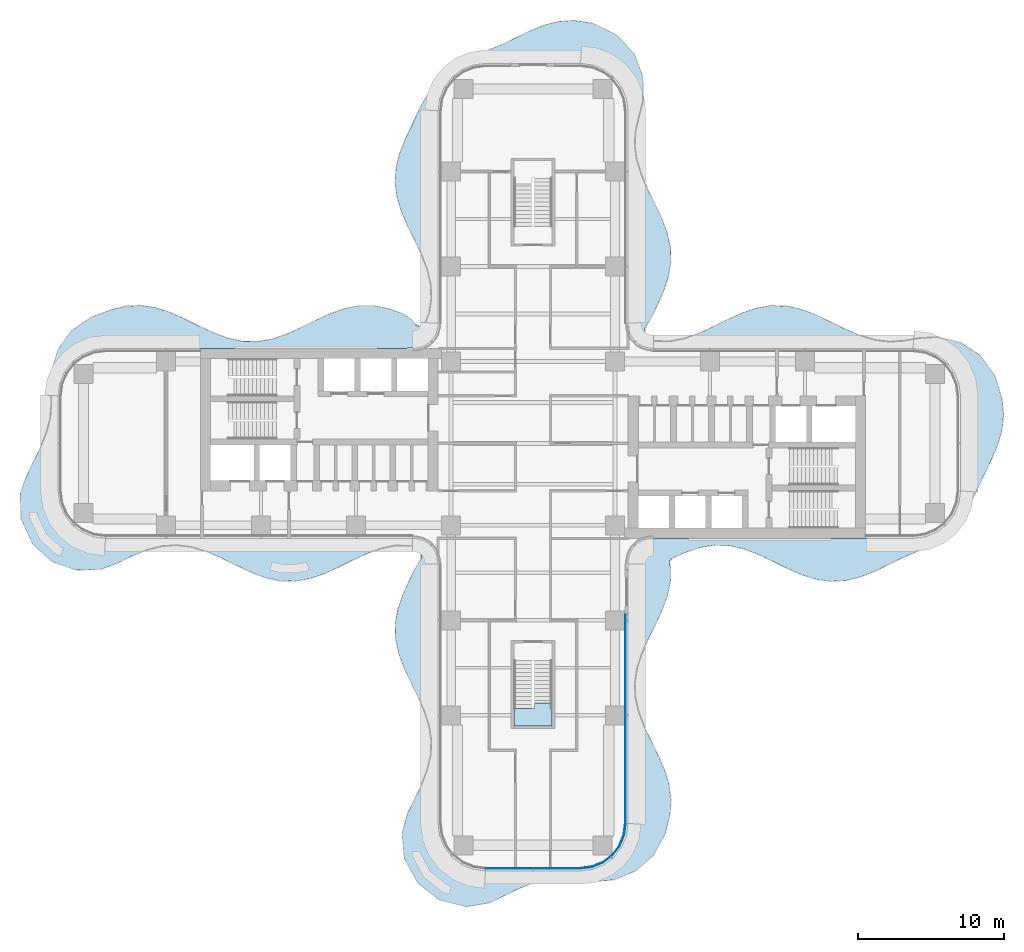
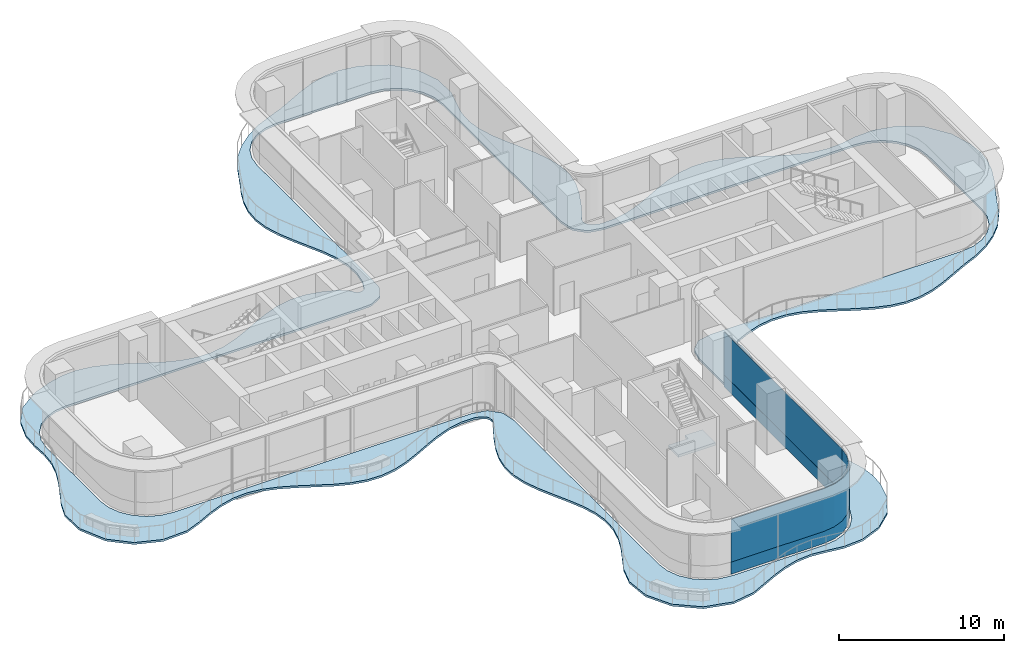
# One storey, part 14 of 23: 4 plates, 2 slabs, 3 elements without a shape of their own.
"""IFC4 building model written with IfcOpenShell, lengths in metres."""

from ifc_helpers import new_model, si_unit, direction, frame, origin, place, context, subcontext, project, spatial, polyline, outline, extrude, source, transform, mapped, material, layer, layer_set, type_object, element, aggregate, save


model = new_model("IFC4")

# Units and contexts
model_context = context("Model", 3, precision=1e-05, world=origin(), true_north=direction((0.0, 1.0)))
body_context = subcontext(model_context, "Body", "Model", "MODEL_VIEW")
ifc_project = project(units=[si_unit("LENGTHUNIT", "METRE"), si_unit("AREAUNIT", "SQUARE_METRE"), si_unit("VOLUMEUNIT", "CUBIC_METRE"), si_unit("PLANEANGLEUNIT", "RADIAN"), si_unit("MASSUNIT", "GRAM", prefix="KILO")], contexts=[model_context])

# Site, building, storey
site_placement = place(None, origin())
site = spatial("IfcSite", under=ifc_project, at=site_placement, CompositionType="ELEMENT")
building_placement = place(site_placement, origin())
building = spatial("IfcBuilding", under=site, at=building_placement, Name="Trellis Farm Tower", CompositionType="ELEMENT")
storey_placement = place(building_placement, frame((0.0, 0.0, 111.0)))
storey = spatial("IfcBuildingStorey", under=building, at=storey_placement, Name="L23", CompositionType="ELEMENT", Elevation=111.0)

# Slab
ifc_material_1 = material(Name="Concrete C40/50", Category="concrete")
ifc_layer_1 = layer(ifc_material_1, 0.14990234375)
ifc_layer_set_1 = layer_set([ifc_layer_1], Name="Balcony slab 150")
slab_type_1 = type_object("IfcSlabType", Name="Balcony slab 150", PredefinedType="FLOOR", material=ifc_layer_set_1)
slab_1_placement = place(storey_placement, frame((0.0, 0.0, -0.14990234375)))
element("IfcSlab", 1, at=slab_1_placement, inside=storey, type_object=slab_type_1, Name="Balcony slab", PredefinedType="FLOOR", context=body_context, shape_type="SweptSolid", body=[
    extrude(outline(polyline([(-22.37255859375, -7.387939453125), (-23.3720703125, -7.084228515625), (-23.384521484375, -7.08154296875), (-24.37548828125, -6.956298828125), (-24.389892578125, -6.955810546875), (-25.371826171875, -7.024169921875), (-25.385009765625, -7.026123046875), (-26.3193359375, -7.26025390625), (-26.32861328125, -7.26318359375), (-27.331787109375, -7.658935546875), (-27.3369140625, -7.6611328125), (-28.34619140625, -8.146484375), (-28.355712890625, -8.150634765625), (-29.47607421875, -8.59619140625), (-29.52490234375, -8.606689453125), (-31.192138671875, -8.6796875), (-31.2216796875, -8.677978515625), (-31.2578125, -8.67236328125), (-31.285400390625, -8.665283203125), (-32.874755859375, -8.096435546875), (-32.901123046875, -8.083984375), (-32.93359375, -8.064697265625), (-32.95703125, -8.047607421875), (-34.18359375, -6.94384765625), (-34.203857421875, -6.92138671875), (-34.227294921875, -6.89013671875), (-34.24267578125, -6.864013671875), (-35.015869140625, -5.19775390625), (-35.02587890625, -5.168701171875), (-35.034912109375, -5.1298828125), (-35.038818359375, -5.099365234375), (-35.077392578125, -3.464111328125), (-35.075439453125, -3.437255859375), (-35.070068359375, -3.402587890625), (-35.0634765625, -3.37646484375), (-34.66845703125, -2.249755859375), (-34.661865234375, -2.233642578125), (-33.703125, -0.264892578125), (-33.701171875, -0.260498046875), (-33.301513671875, 0.721435546875), (-33.298583984375, 0.73046875), (-33.03857421875, 1.709228515625), (-33.036376953125, 1.722412109375), (-32.953125, 2.718994140625), (-32.952880859375, 2.728515625), (-33.000244140625, 3.81640625), (-33.0, 3.83154296875), (-32.931884765625, 5.013916015625), (-32.92529296875, 5.04931640625), (-32.5087890625, 6.40234375), (-32.48779296875, 6.444580078125), (-31.636474609375, 7.652587890625), (-31.619384765625, 7.6728515625), (-31.594482421875, 7.697265625), (-31.573974609375, 7.714111328125), (-30.22216796875, 8.64013671875), (-30.189697265625, 8.656982421875), (-28.868408203125, 9.1494140625), (-28.8505859375, 9.15478515625), (-27.84814453125, 9.391845703125), (-27.820556640625, 9.395751953125), (-26.84912109375, 9.440673828125), (-26.820068359375, 9.439208984375), (-25.8505859375, 9.29443359375), (-25.826904296875, 9.2890625), (-24.85205078125, 8.97607421875), (-24.837158203125, 8.97021484375), (-23.853271484375, 8.53466796875), (-23.847412109375, 8.531982421875), (-22.85205078125, 8.03857421875), (-22.8505859375, 8.037841796875), (-21.844482421875, 7.566162109375), (-21.83837890625, 7.563720703125), (-20.83642578125, 7.19580078125), (-20.82568359375, 7.19287109375), (-19.830810546875, 6.9873046875), (-19.816650390625, 6.98583984375), (-18.831298828125, 6.97119140625), (-18.817138671875, 6.972412109375), (-17.838134765625, 7.146728515625), (-17.826904296875, 7.149658203125), (-16.846923828125, 7.485595703125), (-16.84033203125, 7.48828125), (-15.86669921875, 7.931396484375), (-15.8642578125, 7.932373046875), (-14.860595703125, 8.430908203125), (-14.8564453125, 8.4326171875), (-13.860107421875, 8.890625), (-13.847412109375, 8.895751953125), (-12.8857421875, 9.233642578125), (-12.86376953125, 9.239501953125), (-11.89404296875, 9.422607421875), (-11.864990234375, 9.42529296875), (-10.862060546875, 9.418212890625), (-10.83349609375, 9.415283203125), (-9.86376953125, 9.219482421875), (-9.841552734375, 9.213134765625), (-8.864990234375, 8.853515625), (-8.8291015625, 8.83447265625), (-8.270751953125, 8.431396484375), (-8.247802734375, 8.410888671875), (-8.220703125, 8.38134765625), (-8.202392578125, 8.3564453125), (-8.10498046875, 8.19091796875), (-8.091552734375, 8.174072265625), (-7.97021484375, 8.060791015625), (-7.93310546875, 8.042236328125), (-7.76953125, 8.01318359375), (-7.748291015625, 8.012451171875), (-7.686279296875, 8.019287109375), (-7.667236328125, 8.02392578125), (-7.526123046875, 8.079345703125), (-7.49560546875, 8.101806640625), (-7.401123046875, 8.219970703125), (-7.390625, 8.23779296875), (-7.116943359375, 8.890869140625), (-7.112060546875, 8.908447265625), (-6.962646484375, 9.881591796875), (-6.9619140625, 9.89599609375), (-7.002685546875, 10.87890625), (-7.00439453125, 10.892333984375), (-7.228759765625, 11.87109375), (-7.231689453125, 11.881103515625), (-7.5947265625, 12.836181640625), (-7.597412109375, 12.842041015625), (-8.566162109375, 14.84423828125), (-8.568603515625, 14.849609375), (-9.004638671875, 15.8515625), (-9.01025390625, 15.8671875), (-9.305908203125, 16.8232421875), (-9.31103515625, 16.847412109375), (-9.4423828125, 17.81640625), (-9.443603515625, 17.84619140625), (-9.380126953125, 18.84912109375), (-9.3759765625, 18.87646484375), (-9.131103515625, 19.847900390625), (-9.125, 19.86669921875), (-8.734619140625, 20.8466796875), (-8.73046875, 20.856201171875), (-8.25244140625, 21.84765625), (-8.251708984375, 21.84912109375), (-7.752197265625, 22.939208984375), (-7.74609375, 22.950927734375), (-7.09765625, 24.091064453125), (-7.0791015625, 24.11669921875), (-6.281494140625, 25.008544921875), (-6.264404296875, 25.02490234375), (-5.40478515625, 25.724853515625), (-5.388671875, 25.736083984375), (-4.402587890625, 26.34375), (-4.382568359375, 26.35400390625), (-3.307373046875, 26.812744140625), (-3.3037109375, 26.814208984375), (-2.2412109375, 27.23486328125), (-2.23583984375, 27.2373046875), (-0.25146484375, 28.202880859375), (-0.2421875, 28.20703125), (0.7275390625, 28.600830078125), (0.74560546875, 28.60693359375), (1.7177734375, 28.86376953125), (1.74462890625, 28.8681640625), (2.748046875, 28.944580078125), (2.781982421875, 28.943115234375), (4.061279296875, 28.748046875), (4.103759765625, 28.735107421875), (5.710205078125, 27.9599609375), (5.7353515625, 27.944580078125), (5.7646484375, 27.922607421875), (5.785888671875, 27.903076171875), (6.927001953125, 26.63671875), (6.944091796875, 26.613525390625), (6.96337890625, 26.58154296875), (6.975830078125, 26.555419921875), (7.51171875, 25.080810546875), (7.520751953125, 25.031005859375), (7.535400390625, 23.51416015625), (7.53076171875, 23.4755859375), (7.243408203125, 22.347900390625), (7.242919921875, 22.346435546875), (7.005859375, 21.3251953125), (7.00390625, 21.311279296875), (6.96142578125, 20.32470703125), (6.962158203125, 20.310546875), (7.097900390625, 19.38671875), (7.1005859375, 19.375), (7.428955078125, 18.33984375), (7.431884765625, 18.33203125), (7.86767578125, 17.348388671875), (7.869140625, 17.345458984375), (8.358642578125, 16.357421875), (8.360107421875, 16.354736328125), (8.82421875, 15.36767578125), (8.8291015625, 15.356201171875), (9.1923828125, 14.378173828125), (9.198486328125, 14.357421875), (9.406982421875, 13.38671875), (9.410400390625, 13.35888671875), (9.433837890625, 12.38916015625), (9.431884765625, 12.3603515625), (9.265380859375, 11.3837890625), (9.259521484375, 11.360595703125), (8.92529296875, 10.37451171875), (8.919921875, 10.360595703125), (8.46875, 9.36669921875), (8.4658203125, 9.360595703125), (7.976806640625, 8.403564453125), (7.968994140625, 8.389892578125), (7.68798828125, 7.958984375), (7.677734375, 7.934814453125), (7.6298828125, 7.721435546875), (7.628662109375, 7.695068359375), (7.65673828125, 7.490966796875), (7.66162109375, 7.47314453125), (7.7158203125, 7.339599609375), (7.7373046875, 7.310302734375), (7.8486328125, 7.21875), (7.864501953125, 7.208740234375), (8.2900390625, 7.0087890625), (8.305908203125, 7.00341796875), (8.440673828125, 6.973876953125), (8.457763671875, 6.97216796875), (9.385986328125, 6.985107421875), (9.3994140625, 6.986572265625), (10.328125, 7.172119140625), (10.3388671875, 7.175048828125), (11.369384765625, 7.544677734375), (11.375732421875, 7.54736328125), (12.36083984375, 8.006103515625), (12.3623046875, 8.0068359375), (13.357421875, 8.50048828125), (13.362548828125, 8.503173828125), (14.341064453125, 8.9423828125), (14.355224609375, 8.94775390625), (15.330810546875, 9.271484375), (15.353759765625, 9.277099609375), (16.3232421875, 9.4345703125), (16.3525390625, 9.4365234375), (17.35546875, 9.401123046875), (17.383544921875, 9.3974609375), (18.354248046875, 9.1767578125), (18.37451171875, 9.1708984375), (19.339599609375, 8.803955078125), (19.3515625, 8.798583984375), (21.341796875, 7.835205078125), (21.344482421875, 7.833984375), (22.327880859375, 7.404541015625), (22.336181640625, 7.401611328125), (23.3720703125, 7.084228515625), (23.384521484375, 7.08154296875), (24.37548828125, 6.956298828125), (24.389892578125, 6.955810546875), (25.36328125, 7.02001953125), (25.37158203125, 7.021240234375), (26.44580078125, 7.214111328125), (26.465576171875, 7.21630859375), (27.700927734375, 7.272705078125), (27.74267578125, 7.268798828125), (29.197509765625, 6.92138671875), (29.243896484375, 6.901611328125), (30.57080078125, 6.048583984375), (30.593505859375, 6.030517578125), (30.62060546875, 6.00439453125), (30.639404296875, 5.982421875), (31.6201171875, 4.585205078125), (31.64111328125, 4.542236328125), (32.085693359375, 3.05615234375), (32.091064453125, 3.0283203125), (32.19677734375, 1.99609375), (32.197021484375, 1.966796875), (32.10546875, 0.997314453125), (32.1005859375, 0.9716796875), (31.839111328125, 0.01953125), (31.833251953125, 0.001953125), (31.41943359375, -1.0), (31.415771484375, -1.008056640625), (30.448974609375, -3.005859375), (30.4482421875, -3.007568359375), (29.936279296875, -4.13671875), (29.92431640625, -4.158203125), (29.25341796875, -5.16357421875), (29.236083984375, -5.184814453125), (28.444580078125, -5.999755859375), (28.42919921875, -6.013427734375), (27.5166015625, -6.725341796875), (27.496826171875, -6.73828125), (26.45556640625, -7.315185546875), (26.442626953125, -7.321533203125), (25.34130859375, -7.7998046875), (25.33837890625, -7.80126953125), (23.360595703125, -8.761962890625), (23.349365234375, -8.766845703125), (22.37060546875, -9.148193359375), (22.35107421875, -9.154296875), (21.379638671875, -9.38720703125), (21.3525390625, -9.39111328125), (20.38330078125, -9.442138671875), (20.35400390625, -9.44091796875), (19.378662109375, -9.30078125), (19.3544921875, -9.29541015625), (18.36962890625, -8.982666015625), (18.3544921875, -8.976806640625), (17.3603515625, -8.537841796875), (17.354248046875, -8.53515625), (16.35205078125, -8.03857421875), (16.3505859375, -8.037841796875), (15.34423828125, -7.56591796875), (15.33837890625, -7.563720703125), (14.385009765625, -7.2099609375), (14.374755859375, -7.20703125), (13.39599609375, -6.9951171875), (13.38232421875, -6.993408203125), (12.398681640625, -6.96630859375), (12.384521484375, -6.96728515625), (11.3916015625, -7.13330078125), (11.3798828125, -7.135986328125), (10.34716796875, -7.485595703125), (10.340087890625, -7.488525390625), (9.532470703125, -7.855712890625), (9.51708984375, -7.864990234375), (9.407958984375, -7.951171875), (9.38623046875, -7.978759765625), (9.332763671875, -8.09716796875), (9.326171875, -8.131591796875), (9.333251953125, -8.263671875), (9.341552734375, -8.29345703125), (9.410888671875, -8.42822265625), (9.427490234375, -8.497802734375), (9.421630859375, -9.3291015625), (9.418701171875, -9.357421875), (9.219482421875, -10.3603515625), (9.21337890625, -10.382080078125), (8.859619140625, -11.359375), (8.8544921875, -11.37158203125), (8.3955078125, -12.35791015625), (8.393798828125, -12.361328125), (7.8974609375, -13.36181640625), (7.89599609375, -13.364501953125), (7.447021484375, -14.36962890625), (7.444091796875, -14.376953125), (7.117919921875, -15.377197265625), (7.114990234375, -15.38916015625), (6.962646484375, -16.381591796875), (6.9619140625, -16.39599609375), (7.002685546875, -17.37890625), (7.00439453125, -17.392333984375), (7.228759765625, -18.37109375), (7.231689453125, -18.381103515625), (7.605712890625, -19.36181640625), (7.6083984375, -19.367919921875), (8.566162109375, -21.34423828125), (8.568603515625, -21.349609375), (8.997802734375, -22.333251953125), (9.003662109375, -22.348876953125), (9.3056640625, -23.3232421875), (9.31103515625, -23.347412109375), (9.442626953125, -24.316650390625), (9.443603515625, -24.34619140625), (9.380615234375, -25.348876953125), (9.376708984375, -25.374755859375), (9.05859375, -26.688232421875), (9.044189453125, -26.7255859375), (8.25390625, -28.15380859375), (8.22216796875, -28.193603515625), (7.05419921875, -29.22998046875), (7.01220703125, -29.25634765625), (5.563720703125, -29.857666015625), (5.517822265625, -29.86865234375), (4.207763671875, -29.9716796875), (4.175048828125, -29.970703125), (3.011474609375, -29.806884765625), (3.0087890625, -29.806396484375), (2.0400390625, -29.70458984375), (2.025390625, -29.704345703125), (0.97607421875, -29.79931640625), (0.962890625, -29.8017578125), (-0.015625, -30.0732421875), (-0.0244140625, -30.076171875), (-1.007080078125, -30.48388671875), (-1.0107421875, -30.485595703125), (-2.978759765625, -31.432861328125), (-3.019287109375, -31.44580078125), (-4.50244140625, -31.69189453125), (-4.533447265625, -31.693603515625), (-4.572021484375, -31.69189453125), (-4.60205078125, -31.687744140625), (-6.351318359375, -31.25244140625), (-6.381103515625, -31.241455078125), (-6.41796875, -31.223388671875), (-6.44482421875, -31.20654296875), (-7.888916015625, -30.066162109375), (-7.910888671875, -30.044677734375), (-7.9365234375, -30.01416015625), (-7.95361328125, -29.98876953125), (-8.7890625, -28.42822265625), (-8.800537109375, -28.400390625), (-8.811767578125, -28.363037109375), (-8.8173828125, -28.333251953125), (-8.961181640625, -26.718505859375), (-8.961181640625, -26.69189453125), (-8.9580078125, -26.65771484375), (-8.953369140625, -26.631103515625), (-8.599609375, -25.345703125), (-8.58984375, -25.320068359375), (-7.639404296875, -23.36376953125), (-7.63720703125, -23.358154296875), (-7.25439453125, -22.377197265625), (-7.251220703125, -22.3671875), (-7.005859375, -21.3251953125), (-7.00390625, -21.311279296875), (-6.96142578125, -20.32470703125), (-6.96240234375, -20.310302734375), (-7.11083984375, -19.330810546875), (-7.113525390625, -19.319091796875), (-7.415771484375, -18.37451171875), (-7.41845703125, -18.3671875), (-7.861083984375, -17.3623046875), (-7.86279296875, -17.359130859375), (-8.3603515625, -16.354248046875), (-8.361572265625, -16.3515625), (-8.82421875, -15.36767578125), (-8.8291015625, -15.356201171875), (-9.1923828125, -14.378173828125), (-9.198486328125, -14.357421875), (-9.406982421875, -13.38671875), (-9.410400390625, -13.35888671875), (-9.433837890625, -12.38916015625), (-9.431884765625, -12.3603515625), (-9.265380859375, -11.3837890625), (-9.259521484375, -11.360595703125), (-8.92529296875, -10.37451171875), (-8.919921875, -10.360595703125), (-8.46875, -9.36669921875), (-8.4658203125, -9.360595703125), (-7.976806640625, -8.403564453125), (-7.968994140625, -8.389892578125), (-7.68798828125, -7.958984375), (-7.677734375, -7.934814453125), (-7.6298828125, -7.721435546875), (-7.628662109375, -7.695068359375), (-7.65673828125, -7.490966796875), (-7.66162109375, -7.47314453125), (-7.7158203125, -7.339599609375), (-7.7373046875, -7.310302734375), (-7.8486328125, -7.21875), (-7.864501953125, -7.208740234375), (-8.2900390625, -7.0087890625), (-8.305908203125, -7.00341796875), (-8.440673828125, -6.973876953125), (-8.457763671875, -6.97216796875), (-9.385986328125, -6.985107421875), (-9.3994140625, -6.986572265625), (-10.328125, -7.172119140625), (-10.3388671875, -7.175048828125), (-11.369384765625, -7.544677734375), (-11.375732421875, -7.54736328125), (-12.36083984375, -8.006103515625), (-12.3623046875, -8.0068359375), (-13.357421875, -8.50048828125), (-13.36279296875, -8.503173828125), (-14.357666015625, -8.94873046875), (-14.371826171875, -8.954345703125), (-15.330810546875, -9.271484375), (-15.353759765625, -9.277099609375), (-16.323486328125, -9.434814453125), (-16.352294921875, -9.4365234375), (-17.323486328125, -9.4052734375), (-17.351318359375, -9.40185546875), (-18.33056640625, -9.183837890625), (-18.35107421875, -9.177734375), (-19.33935546875, -8.803955078125), (-19.351806640625, -8.798583984375), (-21.35693359375, -7.828125), (-21.35986328125, -7.826904296875), (-22.364501953125, -7.390869140625), (-22.37255859375, -7.387939453125)]), holes=[polyline([(-6.990478515625, 7.023193359375), (-7.030517578125, 6.9833984375), (-7.067138671875, 6.956787109375), (-7.8203125, 6.5654296875), (-7.85107421875, 6.553466796875), (-7.891845703125, 6.542724609375), (-7.92431640625, 6.537841796875), (-8.85400390625, 6.50048828125), (-29.25, 6.50048828125), (-30.09130859375, 6.389892578125), (-30.875244140625, 6.065185546875), (-31.548583984375, 5.548583984375), (-32.065185546875, 4.875244140625), (-32.389892578125, 4.09130859375), (-32.50048828125, 3.25), (-32.50048828125, -3.25), (-32.389892578125, -4.09130859375), (-32.065185546875, -4.875244140625), (-31.548583984375, -5.548583984375), (-30.875244140625, -6.065185546875), (-30.09130859375, -6.389892578125), (-29.25, -6.50048828125), (-8.38818359375, -6.50048828125), (-8.364013671875, -6.503173828125), (-7.466552734375, -6.687255859375), (-7.42529296875, -6.702392578125), (-7.3779296875, -6.727783203125), (-7.34326171875, -6.75390625), (-6.75390625, -7.34326171875), (-6.727783203125, -7.3779296875), (-6.702392578125, -7.42529296875), (-6.687255859375, -7.466552734375), (-6.503173828125, -8.364013671875), (-6.50048828125, -8.38818359375), (-6.50048828125, -26.0), (-6.389892578125, -26.84130859375), (-6.065185546875, -27.625244140625), (-5.548583984375, -28.298583984375), (-4.875244140625, -28.815185546875), (-4.09130859375, -29.139892578125), (-3.25, -29.25048828125), (3.25, -29.25048828125), (4.09130859375, -29.139892578125), (4.875244140625, -28.815185546875), (5.548583984375, -28.298583984375), (6.065185546875, -27.625244140625), (6.389892578125, -26.84130859375), (6.50048828125, -26.0), (6.50048828125, -8.38818359375), (6.503173828125, -8.364013671875), (6.687255859375, -7.466552734375), (6.702392578125, -7.42529296875), (6.727783203125, -7.3779296875), (6.75390625, -7.34326171875), (7.34326171875, -6.75390625), (7.3779296875, -6.727783203125), (7.42529296875, -6.702392578125), (7.466552734375, -6.687255859375), (8.364013671875, -6.503173828125), (8.38818359375, -6.50048828125), (26.0, -6.50048828125), (26.84130859375, -6.389892578125), (27.625244140625, -6.065185546875), (28.298583984375, -5.548583984375), (28.815185546875, -4.875244140625), (29.139892578125, -4.09130859375), (29.25048828125, -3.25), (29.25048828125, 3.25), (29.139892578125, 4.09130859375), (28.815185546875, 4.875244140625), (28.298583984375, 5.548583984375), (27.625244140625, 6.065185546875), (26.84130859375, 6.389892578125), (26.0, 6.50048828125), (8.38818359375, 6.50048828125), (8.364013671875, 6.503173828125), (7.466552734375, 6.687255859375), (7.42529296875, 6.702392578125), (7.3779296875, 6.727783203125), (7.34326171875, 6.75390625), (6.75390625, 7.34326171875), (6.727783203125, 7.3779296875), (6.702392578125, 7.42529296875), (6.687255859375, 7.466552734375), (6.503173828125, 8.364013671875), (6.50048828125, 8.38818359375), (6.50048828125, 22.75), (6.389892578125, 23.59130859375), (6.065185546875, 24.375244140625), (5.548583984375, 25.048583984375), (4.875244140625, 25.565185546875), (4.09130859375, 25.889892578125), (3.25, 26.00048828125), (-3.25, 26.00048828125), (-4.09130859375, 25.889892578125), (-4.875244140625, 25.565185546875), (-5.548583984375, 25.048583984375), (-6.065185546875, 24.375244140625), (-6.389892578125, 23.59130859375), (-6.50048828125, 22.75), (-6.50048828125, 8.844970703125), (-6.540283203125, 7.914794921875), (-6.54541015625, 7.882080078125), (-6.556396484375, 7.84130859375), (-6.568359375, 7.810302734375), (-6.963623046875, 7.059814453125), (-6.990478515625, 7.023193359375)])]), origin(), (0.0, 0.0, 1.0), 0.14990234375),
])

# Stair, slab
ifc_material_2 = material(Name="Concrete C50/60", Category="concrete")
stair_type = type_object("IfcStairType", Name="CORE EXIT STAIR 26 RISERS 173 MM", PredefinedType="HALF_TURN_STAIR", material=ifc_material_2)
placement_1 = place(storey_placement, origin())
stair = element("IfcStair", 2, at=placement_1, inside=storey, type_object=stair_type, Name="Exit stair S", PredefinedType="HALF_TURN_STAIR")
ifc_layer_2 = layer(ifc_material_2, 0.18994140625)
ifc_layer_set_2 = layer_set([ifc_layer_2], Name="CORE STAIR LANDING 190 CONCRETE C50/60")
slab_type_2 = type_object("IfcSlabType", Name="CORE STAIR LANDING 190 CONCRETE C50/60", PredefinedType="LANDING", material=ifc_layer_set_2)
shared_shape_1 = source(origin(), body_context, "Body", "SweptSolid", [
    extrude(outline(polyline([(1.300048828125, -19.35009765625), (-1.300048828125, -19.35009765625), (-1.300048828125, -18.14990234375), (-1.300048828125, -18.139892578125), (-0.10009765625, -18.139892578125), (-0.10009765625, -18.14990234375), (0.10009765625, -18.14990234375), (0.10009765625, -17.753173828125), (1.300048828125, -17.753173828125), (1.300048828125, -18.14990234375), (1.300048828125, -19.35009765625)])), origin(), (0.0, 0.0, 1.0), 0.18994140625),
])
slab_2_placement = place(storey_placement, frame((0.0, 0.0, 2.06005859375)))
slab_2 = element("IfcSlab", 3, at=slab_2_placement, type_object=slab_type_2, Name="STS landing 1", PredefinedType="LANDING", context=body_context, shape_type="MappedRepresentation", body=[
    mapped(shared_shape_1, transform((0.0, 0.0, 0.0))),
])
aggregate(stair, [slab_2])

# Curtain wall, plates
ifc_material_3 = material(Name="Aluminium and glass curtain wall", Category="aluminium")
ifc_layer_3 = layer(ifc_material_3, 0.18994140625)
ifc_layer_set_3 = layer_set([ifc_layer_3], Name="RIBBON CURTAIN WALL CW1")
curtain_wall_type = type_object("IfcCurtainWallType", Name="RIBBON CURTAIN WALL CW1", PredefinedType="NOTDEFINED", material=ifc_layer_set_3)
curtain_wall_1 = element("IfcCurtainWall", 4, at=placement_1, inside=storey, type_object=curtain_wall_type, Name="CW1 003", PredefinedType="NOTDEFINED")
ifc_material_4 = material(Name="Clear insulated glass", Category="glass")
ifc_layer_4 = layer(ifc_material_4, 0.0400390625)
ifc_layer_set_4 = layer_set([ifc_layer_4], Name="CW1 GLASS PANEL 40")
plate_type_1 = type_object("IfcPlateType", Name="CW1 GLASS PANEL 40", PredefinedType="CURTAIN_PANEL", material=ifc_layer_set_4)
shared_shape_2 = source(origin(), body_context, "Body", "SweptSolid", [
    extrude(outline(polyline([(-3.240234375, -29.10009765625), (3.240234375, -29.10009765625), (4.052001953125, -28.9931640625), (4.79931640625, -28.68359375), (5.441162109375, -28.191162109375), (5.93359375, -27.54931640625), (6.2431640625, -26.802001953125), (6.35009765625, -25.990234375), (6.31005859375, -25.987548828125), (6.2041015625, -26.79150390625), (5.898681640625, -27.529296875), (5.41259765625, -28.16259765625), (4.779296875, -28.648681640625), (4.04150390625, -28.9541015625), (3.237548828125, -29.06005859375), (-3.237548828125, -29.06005859375), (-3.240234375, -29.10009765625)])), origin(), (0.0, 0.0, 1.0), 3.170166015625),
])
placement_2 = place(storey_placement, frame((0.0, 0.0, 0.89990234375)))
plate_1 = element("IfcPlate", 5, at=placement_2, type_object=plate_type_1, Name="PL1 003", PredefinedType="CURTAIN_PANEL", context=body_context, shape_type="MappedRepresentation", body=[
    mapped(shared_shape_2, transform((0.0, 0.0, 0.0))),
])
ifc_material_5 = material(Name="Sandstone faced insulated panel", Category="masonry")
ifc_layer_5 = layer(ifc_material_5, 0.050048828125)
ifc_layer_set_5 = layer_set([ifc_layer_5], Name="CW1 STONE SPANDREL PANEL 50")
plate_type_2 = type_object("IfcPlateType", Name="CW1 STONE SPANDREL PANEL 50", PredefinedType="CURTAIN_PANEL", material=ifc_layer_set_5)
shared_shape_3 = source(origin(), body_context, "Body", "SweptSolid", [
    extrude(outline(polyline([(-3.240234375, -29.10009765625), (3.240234375, -29.10009765625), (4.052001953125, -28.9931640625), (4.79931640625, -28.68359375), (5.441162109375, -28.191162109375), (5.93359375, -27.54931640625), (6.2431640625, -26.802001953125), (6.35009765625, -25.990234375), (6.300048828125, -25.98681640625), (6.1943359375, -26.7890625), (5.889892578125, -27.524169921875), (5.405517578125, -28.155517578125), (4.774169921875, -28.639892578125), (4.0390625, -28.9443359375), (3.23681640625, -29.050048828125), (-3.23681640625, -29.050048828125), (-3.240234375, -29.10009765625)])), origin(), (0.0, 0.0, 1.0), 0.89990234375),
])
plate_2 = element("IfcPlate", 6, at=placement_1, type_object=plate_type_2, Name="PS1 003", PredefinedType="CURTAIN_PANEL", context=body_context, shape_type="MappedRepresentation", body=[
    mapped(shared_shape_3, transform((0.0, 0.0, 0.0))),
])
aggregate(curtain_wall_1, [plate_1, plate_2])

curtain_wall_2 = element("IfcCurtainWall", 7, at=placement_1, inside=storey, type_object=curtain_wall_type, Name="CW1 004", PredefinedType="NOTDEFINED")
shared_shape_4 = source(origin(), body_context, "Body", "SweptSolid", [
    extrude(outline(polyline([(6.35009765625, -25.990234375), (6.35009765625, -11.7255859375), (6.31005859375, -11.7255859375), (6.31005859375, -25.987548828125), (6.35009765625, -25.990234375)])), origin(), (0.0, 0.0, 1.0), 3.170166015625),
])
plate_3 = element("IfcPlate", 8, at=placement_2, type_object=plate_type_1, Name="PL1 004", PredefinedType="CURTAIN_PANEL", context=body_context, shape_type="MappedRepresentation", body=[
    mapped(shared_shape_4, transform((0.0, 0.0, 0.0))),
])
shared_shape_5 = source(origin(), body_context, "Body", "SweptSolid", [
    extrude(outline(polyline([(6.35009765625, -25.990234375), (6.35009765625, -11.7255859375), (6.300048828125, -11.7255859375), (6.300048828125, -25.98681640625), (6.35009765625, -25.990234375)])), origin(), (0.0, 0.0, 1.0), 0.89990234375),
])
plate_4 = element("IfcPlate", 9, at=placement_1, type_object=plate_type_2, Name="PS1 004", PredefinedType="CURTAIN_PANEL", context=body_context, shape_type="MappedRepresentation", body=[
    mapped(shared_shape_5, transform((0.0, 0.0, 0.0))),
])
aggregate(curtain_wall_2, [plate_3, plate_4])

save(model, "model.ifc")
